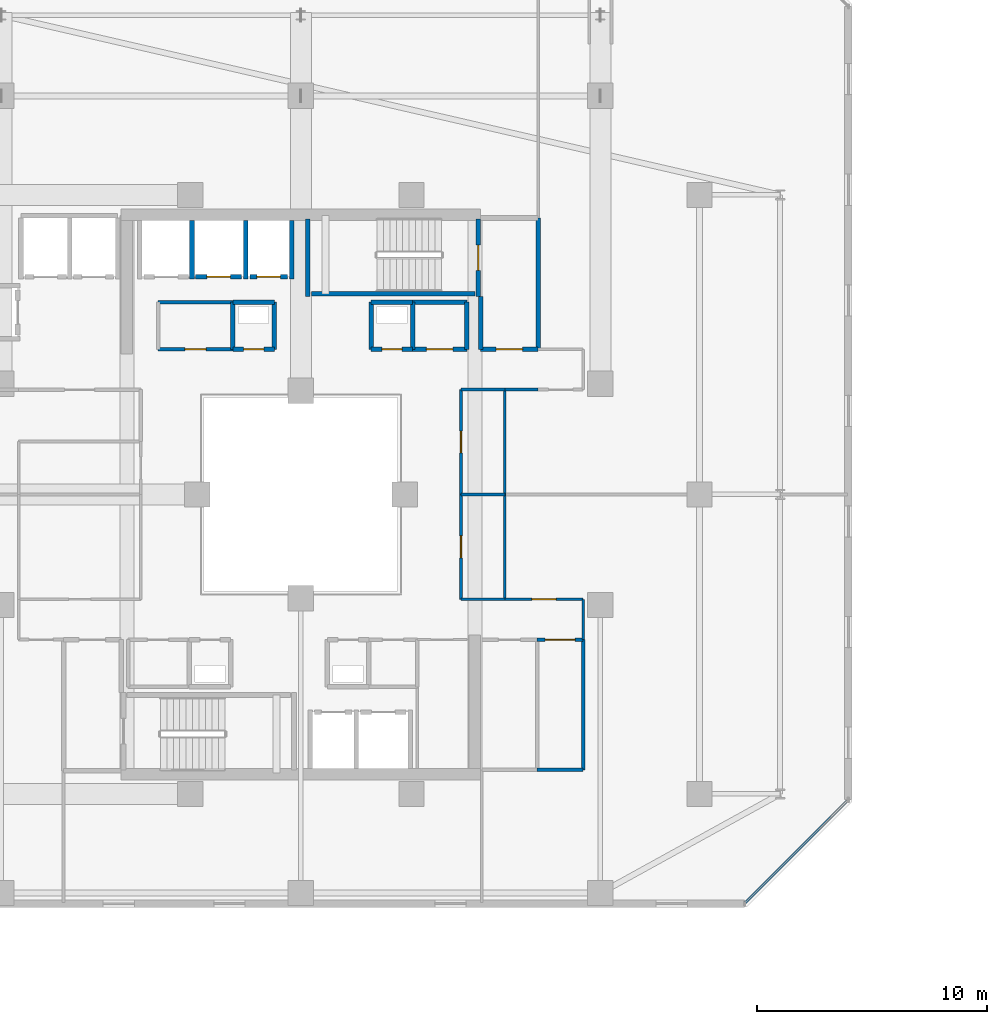
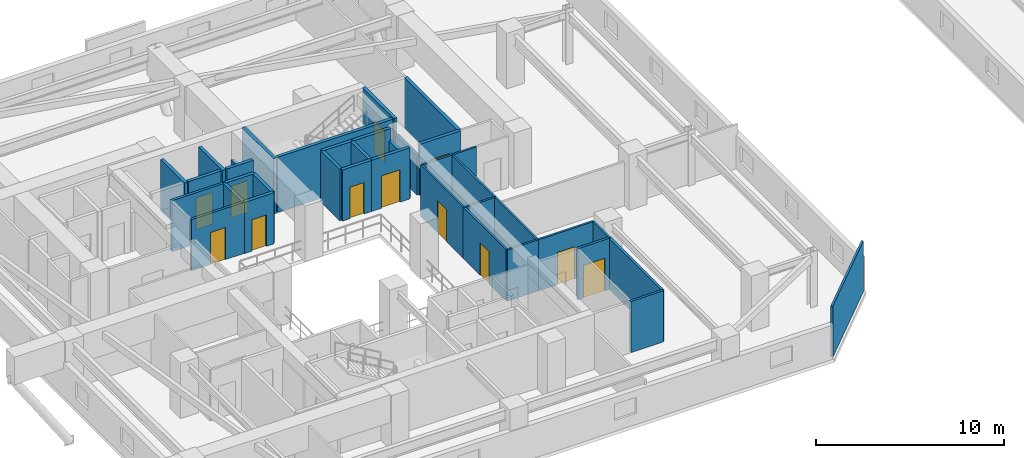
# One storey, part 24 of 36: 38 walls, 12 doors, 12 openings.
"""IFC4 building model written with IfcOpenShell, lengths in metres."""

from ifc_helpers import new_model, si_unit, direction, frame, frame_2d, origin, place, context, subcontext, project, spatial, rectangle, extrude, material, layer, layer_set, type_object, element, fill, save


model = new_model("IFC4")

# Units and contexts
model_context = context("Model", 3, precision=1e-05, world=origin(), true_north=direction((0.0, 1.0)))
body_context = subcontext(model_context, "Body", "Model", "MODEL_VIEW")
ifc_project = project(units=[si_unit("LENGTHUNIT", "METRE"), si_unit("AREAUNIT", "SQUARE_METRE"), si_unit("VOLUMEUNIT", "CUBIC_METRE"), si_unit("PLANEANGLEUNIT", "RADIAN"), si_unit("MASSUNIT", "GRAM", prefix="KILO")], contexts=[model_context])

# Site, building, storey
site_placement = place(None, origin())
site = spatial("IfcSite", under=ifc_project, at=site_placement, CompositionType="ELEMENT")
building_placement = place(site_placement, origin())
building = spatial("IfcBuilding", under=site, at=building_placement, Name="Thornwick Lancets Civic Towers", CompositionType="ELEMENT")
storey_placement = place(building_placement, frame((0.0, 0.0, 196.5)))
storey = spatial("IfcBuildingStorey", under=building, at=storey_placement, Name="L52", CompositionType="ELEMENT", Elevation=196.5)

# Wall, opening, door
ifc_material_1 = material(Name="Concrete blockwork C40/50", Category="masonry")
ifc_layer_1 = layer(ifc_material_1, 0.199951171875, Name="Concrete blockwork C40/50")
ifc_layer_set_1 = layer_set([ifc_layer_1], Name="Concrete blockwork C40/50")
wall_type_1 = type_object("IfcWallType", Name="WALL_COMP_200", PredefinedType="STANDARD", material=ifc_layer_set_1)
wall_1_placement = place(storey_placement, frame((24.919921875, 36.449951171875, 0.0), z_axis=(0.0, 0.0, 1.0), x_axis=(-1.0, 0.0, 0.0)))
wall_1 = element("IfcWall", 1, at=wall_1_placement, inside=storey, type_object=wall_type_1, Name="L52 Hoistway Front Wall FL-A2", PredefinedType="STANDARD", context=body_context, shape_type="SweptSolid", body=[
    extrude(rectangle(XDim=1.639892578125, YDim=0.199951171875, at=frame_2d((0.81982421875, 0.0))), origin(), (0.0, 0.0, 1.0), 3.320068359375),
])
opening_1_placement = place(wall_1_placement, frame((0.31005859375, 0.0, 0.0)))
opening_1 = element("IfcOpeningElement", 2, at=opening_1_placement, cuts=wall_1, Name="Opening LD-FL-A2", PredefinedType="OPENING", context=body_context, shape_type="SweptSolid", body=[
    extrude(rectangle(XDim=1.02001953125, YDim=2.06005859375, at=frame_2d((0.510009765625, 1.030029296875))), frame((0.0, 0.10986328125, 0.0), z_axis=(0.0, -1.0, 0.0), x_axis=(1.0, 0.0, 0.0)), (0.0, 0.0, 1.0), 0.219970703125),
])
ifc_material_2 = material(Name="Brushed bronze stainless steel", Category="steel")
door_type_1 = type_object("IfcDoorType", Name="DOOR_LIFT_SLIDE", OperationType="SLIDING_TO_LEFT", PredefinedType="DOOR", material=ifc_material_2)
door_1_placement = place(opening_1_placement, origin())
door_1 = element("IfcDoor", 3, at=door_1_placement, inside=storey, type_object=door_type_1, Name="L52 Sliding Lift Landing Door LD-FL-A2", OperationType="SLIDING_TO_LEFT", OverallHeight=2.06005859375, OverallWidth=1.02001953125, PredefinedType="DOOR", context=body_context, shape_type="SweptSolid", body=[
    extrude(rectangle(XDim=1.02001953125, YDim=2.06005859375, at=frame_2d((0.510009765625, 1.030029296875))), frame((0.0, 0.02490234375, 0.0), z_axis=(0.0, -1.0, 0.0), x_axis=(1.0, 0.0, 0.0)), (0.0, 0.0, 1.0), 0.050048828125),
])
fill(opening_1, door_1)

wall_2_placement = place(storey_placement, frame((22.919921875, 36.449951171875, 0.0), z_axis=(0.0, 0.0, 1.0), x_axis=(-1.0, 0.0, 0.0)))
wall_2 = element("IfcWall", 4, at=wall_2_placement, inside=storey, type_object=wall_type_1, Name="L52 Hoistway Front Wall PL-AH2", PredefinedType="STANDARD", context=body_context, shape_type="SweptSolid", body=[
    extrude(rectangle(XDim=1.989990234375, YDim=0.199951171875, at=frame_2d((0.9951171875, 0.0))), origin(), (0.0, 0.0, 1.0), 3.320068359375),
])
opening_2_placement = place(wall_2_placement, frame((0.485107421875, 0.0, 0.0)))
opening_2 = element("IfcOpeningElement", 5, at=opening_2_placement, cuts=wall_2, Name="Opening LD-PL-AH2", PredefinedType="OPENING", context=body_context, shape_type="SweptSolid", body=[
    extrude(rectangle(XDim=1.02001953125, YDim=2.06005859375, at=frame_2d((0.510009765625, 1.030029296875))), frame((0.0, 0.10986328125, 0.0), z_axis=(0.0, -1.0, 0.0), x_axis=(1.0, 0.0, 0.0)), (0.0, 0.0, 1.0), 0.219970703125),
])
door_2_placement = place(opening_2_placement, origin())
door_2 = element("IfcDoor", 6, at=door_2_placement, inside=storey, type_object=door_type_1, Name="L52 Sliding Lift Landing Door LD-PL-AH2", OperationType="SLIDING_TO_LEFT", OverallHeight=2.06005859375, OverallWidth=1.02001953125, PredefinedType="DOOR", context=body_context, shape_type="SweptSolid", body=[
    extrude(rectangle(XDim=1.02001953125, YDim=2.06005859375, at=frame_2d((0.510009765625, 1.030029296875))), frame((0.0, 0.02490234375, 0.0), z_axis=(0.0, -1.0, 0.0), x_axis=(1.0, 0.0, 0.0)), (0.0, 0.0, 1.0), 0.050048828125),
])
fill(opening_2, door_2)

# Walls
wall_3_placement = place(storey_placement, frame((25.10009765625, 36.35205078125, 0.0), z_axis=(0.0, 0.0, 1.0), x_axis=(0.0, 1.0, 0.0)))
element("IfcWall", 7, at=wall_3_placement, inside=storey, type_object=wall_type_1, Name="L52 Hoistway Shaft Wall FL-A2 E", PredefinedType="STANDARD", context=body_context, shape_type="SweptSolid", body=[
    extrude(rectangle(XDim=2.535888671875, YDim=0.199951171875, at=frame_2d((1.26806640625, 0.0))), origin(), (0.0, 0.0, 1.0), 1.784912109375),
])
for number, where, z_axis, x_axis, name in (
    (8, (23.10009765625, 36.35205078125, 0.0), (0.0, 0.0, 1.0), (0.0, 1.0, 0.0), "L52 Hoistway Shaft Wall FL-A2 W"),
    (9, (20.77490234375, 36.35205078125, 0.0), (0.0, 0.0, 1.0), (0.0, 1.0, 0.0), "L52 Hoistway Shaft Wall PL-AH2 W"),
):
    element("IfcWall", number, at=place(storey_placement, frame(where, z_axis=z_axis, x_axis=x_axis)), inside=storey, type_object=wall_type_1, Name=name, PredefinedType="STANDARD", context=body_context, shape_type="SweptSolid", body=[
        extrude(rectangle(XDim=2.535888671875, YDim=0.199951171875, at=frame_2d((1.26806640625, 0.0))), origin(), (0.0, 0.0, 1.0), 3.320068359375),
    ])

# Wall, opening, door
wall_4_placement = place(storey_placement, frame((33.300048828125, 33.300048828125, 0.0), z_axis=(0.0, 0.0, 1.0), x_axis=(1.0, 0.0, 0.0)))
wall_4 = element("IfcWall", 10, at=wall_4_placement, inside=storey, type_object=wall_type_1, Name="L52 Partition L52-A-FFLOB2 E1", PredefinedType="STANDARD", context=body_context, shape_type="SweptSolid", body=[
    extrude(rectangle(XDim=2.5, YDim=0.199951171875, at=frame_2d((1.25, 0.0))), origin(), (0.0, 0.0, 1.0), 3.320068359375),
])
opening_3_placement = place(wall_4_placement, frame((0.675048828125, 0.0, 0.0)))
opening_3 = element("IfcOpeningElement", 11, at=opening_3_placement, cuts=wall_4, Name="Opening D-L52-2300", PredefinedType="OPENING", context=body_context, shape_type="SweptSolid", body=[
    extrude(rectangle(XDim=1.14990234375, YDim=2.10009765625, at=frame_2d((0.574951171875, 1.050048828125))), frame((0.0, 0.10986328125, 0.0), z_axis=(0.0, -1.0, 0.0), x_axis=(1.0, 0.0, 0.0)), (0.0, 0.0, 1.0), 0.219970703125),
])
ifc_material_3 = material(Name="Glazed fire-resisting steel", Category="steel")
door_type_2 = type_object("IfcDoorType", Name="DOOR_LOBBY_FD60", OperationType="NOTDEFINED", PredefinedType="DOOR", material=ifc_material_3)
door_3_placement = place(opening_3_placement, origin())
door_3 = element("IfcDoor", 12, at=door_3_placement, inside=storey, type_object=door_type_2, Name="L52 North Firefighting Lobby 2 Door", OperationType="SINGLE_SWING_LEFT", OverallHeight=2.10009765625, OverallWidth=1.14990234375, PredefinedType="DOOR", context=body_context, shape_type="SweptSolid", body=[
    extrude(rectangle(XDim=1.14990234375, YDim=2.10009765625, at=frame_2d((0.574951171875, 1.050048828125))), frame((0.0, 0.02490234375, 0.0), z_axis=(0.0, -1.0, 0.0), x_axis=(1.0, 0.0, 0.0)), (0.0, 0.0, 1.0), 0.050048828125),
])
fill(opening_3, door_3)

# Walls
wall_5_placement = place(storey_placement, frame((35.800048828125, 33.300048828125, 0.0), z_axis=(0.0, 0.0, 1.0), x_axis=(0.0, 1.0, 0.0)))
element("IfcWall", 13, at=wall_5_placement, inside=storey, type_object=wall_type_1, Name="L52 Partition L52-A-FFLOB2 E2", PredefinedType="STANDARD", context=body_context, shape_type="SweptSolid", body=[
    extrude(rectangle(XDim=5.699951171875, YDim=0.199951171875, at=frame_2d((2.85009765625, 0.0))), origin(), (0.0, 0.0, 1.0), 3.320068359375),
])
wall_6_placement = place(storey_placement, frame((33.300048828125, 35.60009765625, 0.0), z_axis=(0.0, 0.0, 1.0), x_axis=(0.0, -1.0, 0.0)))
element("IfcWall", 14, at=wall_6_placement, inside=storey, type_object=wall_type_1, Name="L52 Partition L52-A-FFLOB2 E4", PredefinedType="STANDARD", context=body_context, shape_type="SweptSolid", body=[
    extrude(rectangle(XDim=2.300048828125, YDim=0.199951171875, at=frame_2d((1.14990234375, 0.0))), origin(), (0.0, 0.0, 1.0), 2.52490234375),
])

# Wall, opening, door
wall_7_placement = place(storey_placement, frame((22.550048828125, 33.300048828125, 0.0), z_axis=(0.0, 0.0, 1.0), x_axis=(1.0, 0.0, 0.0)))
wall_7 = element("IfcWall", 15, at=wall_7_placement, inside=storey, type_object=wall_type_1, Name="L52 Partition L52-A-DUCT2 E1", PredefinedType="STANDARD", context=body_context, shape_type="SweptSolid", body=[
    extrude(rectangle(XDim=1.800048828125, YDim=0.199951171875, at=frame_2d((0.89990234375, 0.0))), origin(), (0.0, 0.0, 1.0), 3.320068359375),
])
opening_4_placement = place(wall_7_placement, frame((0.4599609375, 0.0, 0.0)))
opening_4 = element("IfcOpeningElement", 16, at=opening_4_placement, cuts=wall_7, Name="Opening D-L52-2303", PredefinedType="OPENING", context=body_context, shape_type="SweptSolid", body=[
    extrude(rectangle(XDim=0.8798828125, YDim=2.0400390625, at=frame_2d((0.43994140625, 1.02001953125))), frame((0.0, 0.10986328125, 0.0), z_axis=(0.0, -1.0, 0.0), x_axis=(1.0, 0.0, 0.0)), (0.0, 0.0, 1.0), 0.219970703125),
])
ifc_material_4 = material(Name="Steel riser access doorset", Category="steel")
door_type_3 = type_object("IfcDoorType", Name="DOOR_RISER_850", OperationType="NOTDEFINED", PredefinedType="DOOR", material=ifc_material_4)
door_4_placement = place(opening_4_placement, origin())
door_4 = element("IfcDoor", 17, at=door_4_placement, inside=storey, type_object=door_type_3, Name="L52 North Service Duct 2 Door", OperationType="SINGLE_SWING_RIGHT", OverallHeight=2.0400390625, OverallWidth=0.8798828125, PredefinedType="DOOR", context=body_context, shape_type="SweptSolid", body=[
    extrude(rectangle(XDim=0.8798828125, YDim=2.0400390625, at=frame_2d((0.43994140625, 1.02001953125))), frame((0.0, 0.02490234375, 0.0), z_axis=(0.0, -1.0, 0.0), x_axis=(1.0, 0.0, 0.0)), (0.0, 0.0, 1.0), 0.050048828125),
])
fill(opening_4, door_4)

# Walls
wall_8_placement = place(storey_placement, frame((24.35009765625, 33.300048828125, 0.0), z_axis=(0.0, 0.0, 1.0), x_axis=(0.0, 1.0, 0.0)))
element("IfcWall", 18, at=wall_8_placement, inside=storey, type_object=wall_type_1, Name="L52 Partition L52-A-DUCT2 E2", PredefinedType="STANDARD", context=body_context, shape_type="SweptSolid", body=[
    extrude(rectangle(XDim=2.050048828125, YDim=0.199951171875, at=frame_2d((1.02490234375, 0.0))), origin(), (0.0, 0.0, 1.0), 3.320068359375),
])
wall_9_placement = place(storey_placement, frame((24.35009765625, 35.35009765625, 0.0), z_axis=(0.0, 0.0, 1.0), x_axis=(-1.0, 0.0, 0.0)))
element("IfcWall", 19, at=wall_9_placement, inside=storey, type_object=wall_type_1, Name="L52 Partition L52-A-DUCT2 E3", PredefinedType="STANDARD", context=body_context, shape_type="SweptSolid", body=[
    extrude(rectangle(XDim=1.800048828125, YDim=0.199951171875, at=frame_2d((0.89990234375, 0.0))), origin(), (0.0, 0.0, 1.0), 3.320068359375),
])
wall_10_placement = place(storey_placement, frame((22.550048828125, 35.35009765625, 0.0), z_axis=(0.0, 0.0, 1.0), x_axis=(0.0, -1.0, 0.0)))
element("IfcWall", 20, at=wall_10_placement, inside=storey, type_object=wall_type_1, Name="L52 Partition L52-A-DUCT2 E4", PredefinedType="STANDARD", context=body_context, shape_type="SweptSolid", body=[
    extrude(rectangle(XDim=2.050048828125, YDim=0.199951171875, at=frame_2d((1.02490234375, 0.0))), origin(), (0.0, 0.0, 1.0), 3.320068359375),
])

# Wall, opening, door
wall_11_placement = place(storey_placement, frame((28.550048828125, 33.300048828125, 0.0), z_axis=(0.0, 0.0, 1.0), x_axis=(1.0, 0.0, 0.0)))
wall_11 = element("IfcWall", 21, at=wall_11_placement, inside=storey, type_object=wall_type_1, Name="L52 Partition L52-A-RISER2 E1", PredefinedType="STANDARD", context=body_context, shape_type="SweptSolid", body=[
    extrude(rectangle(XDim=1.800048828125, YDim=0.199951171875, at=frame_2d((0.89990234375, 0.0))), origin(), (0.0, 0.0, 1.0), 3.320068359375),
])
opening_5_placement = place(wall_11_placement, frame((0.4599609375, 0.0, 0.0)))
opening_5 = element("IfcOpeningElement", 22, at=opening_5_placement, cuts=wall_11, Name="Opening D-L52-2304", PredefinedType="OPENING", context=body_context, shape_type="SweptSolid", body=[
    extrude(rectangle(XDim=0.8798828125, YDim=2.0400390625, at=frame_2d((0.43994140625, 1.02001953125))), frame((0.0, 0.10986328125, 0.0), z_axis=(0.0, -1.0, 0.0), x_axis=(1.0, 0.0, 0.0)), (0.0, 0.0, 1.0), 0.219970703125),
])
door_5_placement = place(opening_5_placement, origin())
door_5 = element("IfcDoor", 23, at=door_5_placement, inside=storey, type_object=door_type_3, Name="L52 North Service Riser 2 Door", OperationType="SINGLE_SWING_LEFT", OverallHeight=2.0400390625, OverallWidth=0.8798828125, PredefinedType="DOOR", context=body_context, shape_type="SweptSolid", body=[
    extrude(rectangle(XDim=0.8798828125, YDim=2.0400390625, at=frame_2d((0.43994140625, 1.02001953125))), frame((0.0, 0.02490234375, 0.0), z_axis=(0.0, -1.0, 0.0), x_axis=(1.0, 0.0, 0.0)), (0.0, 0.0, 1.0), 0.050048828125),
])
fill(opening_5, door_5)

# Walls
wall_12_placement = place(storey_placement, frame((30.35009765625, 33.300048828125, 0.0), z_axis=(0.0, 0.0, 1.0), x_axis=(0.0, 1.0, 0.0)))
element("IfcWall", 24, at=wall_12_placement, inside=storey, type_object=wall_type_1, Name="L52 Partition L52-A-RISER2 E2", PredefinedType="STANDARD", context=body_context, shape_type="SweptSolid", body=[
    extrude(rectangle(XDim=2.050048828125, YDim=0.199951171875, at=frame_2d((1.02490234375, 0.0))), origin(), (0.0, 0.0, 1.0), 3.320068359375),
])
wall_13_placement = place(storey_placement, frame((30.35009765625, 35.35009765625, 0.0), z_axis=(0.0, 0.0, 1.0), x_axis=(-1.0, 0.0, 0.0)))
element("IfcWall", 25, at=wall_13_placement, inside=storey, type_object=wall_type_1, Name="L52 Partition L52-A-RISER2 E3", PredefinedType="STANDARD", context=body_context, shape_type="SweptSolid", body=[
    extrude(rectangle(XDim=1.800048828125, YDim=0.199951171875, at=frame_2d((0.89990234375, 0.0))), origin(), (0.0, 0.0, 1.0), 3.320068359375),
])
wall_14_placement = place(storey_placement, frame((28.550048828125, 35.35009765625, 0.0), z_axis=(0.0, 0.0, 1.0), x_axis=(0.0, -1.0, 0.0)))
element("IfcWall", 26, at=wall_14_placement, inside=storey, type_object=wall_type_1, Name="L52 Partition L52-A-RISER2 E4", PredefinedType="STANDARD", context=body_context, shape_type="SweptSolid", body=[
    extrude(rectangle(XDim=2.050048828125, YDim=0.199951171875, at=frame_2d((1.02490234375, 0.0))), origin(), (0.0, 0.0, 1.0), 3.320068359375),
])
wall_15_placement = place(storey_placement, frame((32.699951171875, 35.35009765625, 0.0), z_axis=(0.0, 0.0, 1.0), x_axis=(0.0, -1.0, 0.0)))
element("IfcWall", 27, at=wall_15_placement, inside=storey, type_object=wall_type_1, Name="L52 Partition L52-A-STR E1", PredefinedType="STANDARD", context=body_context, shape_type="SweptSolid", body=[
    extrude(rectangle(XDim=2.050048828125, YDim=0.199951171875, at=frame_2d((1.02490234375, 0.0))), origin(), (0.0, 0.0, 1.0), 2.52490234375),
])

# Wall, opening, door
wall_16_placement = place(storey_placement, frame((32.699951171875, 33.300048828125, 0.0), z_axis=(0.0, 0.0, 1.0), x_axis=(-1.0, 0.0, 0.0)))
wall_16 = element("IfcWall", 28, at=wall_16_placement, inside=storey, type_object=wall_type_1, Name="L52 Partition L52-A-STR E2", PredefinedType="STANDARD", context=body_context, shape_type="SweptSolid", body=[
    extrude(rectangle(XDim=2.349853515625, YDim=0.199951171875, at=frame_2d((1.1748046875, 0.0))), origin(), (0.0, 0.0, 1.0), 3.320068359375),
])
opening_6_placement = place(wall_16_placement, frame((0.60009765625, 0.0, 0.0)))
opening_6 = element("IfcOpeningElement", 29, at=opening_6_placement, cuts=wall_16, Name="Opening D-L52-2309", PredefinedType="OPENING", context=body_context, shape_type="SweptSolid", body=[
    extrude(rectangle(XDim=1.14990234375, YDim=2.10009765625, at=frame_2d((0.574951171875, 1.050048828125))), frame((0.0, 0.10986328125, 0.0), z_axis=(0.0, -1.0, 0.0), x_axis=(1.0, 0.0, 0.0)), (0.0, 0.0, 1.0), 0.219970703125),
])
door_6_placement = place(opening_6_placement, origin())
door_6 = element("IfcDoor", 30, at=door_6_placement, inside=storey, type_object=door_type_2, Name="L52 Tower A Core Equipment Store Door", OperationType="SINGLE_SWING_RIGHT", OverallHeight=2.10009765625, OverallWidth=1.14990234375, PredefinedType="DOOR", context=body_context, shape_type="SweptSolid", body=[
    extrude(rectangle(XDim=1.14990234375, YDim=2.10009765625, at=frame_2d((0.574951171875, 1.050048828125))), frame((0.0, 0.02490234375, 0.0), z_axis=(0.0, -1.0, 0.0), x_axis=(1.0, 0.0, 0.0)), (0.0, 0.0, 1.0), 0.050048828125),
])
fill(opening_6, door_6)

# Wall
wall_17_placement = place(storey_placement, frame((30.35009765625, 35.35009765625, 0.0), z_axis=(0.0, 0.0, 1.0), x_axis=(1.0, 0.0, 0.0)))
element("IfcWall", 31, at=wall_17_placement, inside=storey, type_object=wall_type_1, Name="L52 Partition L52-A-STR E4", PredefinedType="STANDARD", context=body_context, shape_type="SweptSolid", body=[
    extrude(rectangle(XDim=2.349853515625, YDim=0.199951171875, at=frame_2d((1.1748046875, 0.0))), origin(), (0.0, 0.0, 1.0), 3.320068359375),
])

# Wall, opening, door
ifc_material_5 = material(Name="Acoustic gypsum board partition")
ifc_layer_2 = layer(ifc_material_5, 0.1201171875, Name="Acoustic gypsum board partition")
ifc_layer_set_2 = layer_set([ifc_layer_2], Name="Acoustic gypsum board partition")
wall_type_2 = type_object("IfcWallType", Name="WALL_PART_120", PredefinedType="PARTITIONING", material=ifc_layer_set_2)
wall_18_placement = place(storey_placement, frame((32.449951171875, 22.449951171875, 0.0), z_axis=(0.0, 0.0, 1.0), x_axis=(0.0, 1.0, 0.0)))
wall_18 = element("IfcWall", 32, at=wall_18_placement, inside=storey, type_object=wall_type_2, Name="L52 Partition L52-A-E1 E1", PredefinedType="PARTITIONING", context=body_context, shape_type="SweptSolid", body=[
    extrude(rectangle(XDim=4.550048828125, YDim=0.1201171875, at=frame_2d((2.27490234375, 0.0))), origin(), (0.0, 0.0, 1.0), 3.320068359375),
])
opening_7_placement = place(wall_18_placement, frame((1.800048828125, 0.0, 0.0)))
opening_7 = element("IfcOpeningElement", 33, at=opening_7_placement, cuts=wall_18, Name="Opening D-L52-2327", PredefinedType="OPENING", context=body_context, shape_type="SweptSolid", body=[
    extrude(rectangle(XDim=0.949951171875, YDim=2.10009765625, at=frame_2d((0.47509765625, 1.050048828125))), frame((0.0, 0.070068359375, 0.0), z_axis=(0.0, -1.0, 0.0), x_axis=(1.0, 0.0, 0.0)), (0.0, 0.0, 1.0), 0.14013671875),
])
ifc_material_6 = material(Name="European oak acoustic doorset")
door_type_4 = type_object("IfcDoorType", Name="DOOR_OFFICE_950", OperationType="NOTDEFINED", PredefinedType="DOOR", material=ifc_material_6)
door_7_placement = place(opening_7_placement, origin())
door_7 = element("IfcDoor", 34, at=door_7_placement, inside=storey, type_object=door_type_4, Name="L52 Tower A Visitors Reception and Waiting Door", OperationType="SINGLE_SWING_RIGHT", OverallHeight=2.10009765625, OverallWidth=0.949951171875, PredefinedType="DOOR", context=body_context, shape_type="SweptSolid", body=[
    extrude(rectangle(XDim=0.949951171875, YDim=2.10009765625, at=frame_2d((0.47509765625, 1.050048828125))), frame((0.0, 0.02490234375, 0.0), z_axis=(0.0, -1.0, 0.0), x_axis=(1.0, 0.0, 0.0)), (0.0, 0.0, 1.0), 0.050048828125),
])
fill(opening_7, door_7)

# Walls
wall_19_placement = place(storey_placement, frame((32.449951171875, 27.0, 0.0), z_axis=(0.0, 0.0, 1.0), x_axis=(1.0, 0.0, 0.0)))
element("IfcWall", 35, at=wall_19_placement, inside=storey, type_object=wall_type_2, Name="L52 Partition L52-A-E1 E2", PredefinedType="PARTITIONING", context=body_context, shape_type="SweptSolid", body=[
    extrude(rectangle(XDim=1.900146484375, YDim=0.1201171875, at=frame_2d((0.9501953125, 0.0))), origin(), (0.0, 0.0, 1.0), 3.320068359375),
])
wall_20_placement = place(storey_placement, frame((34.35009765625, 27.0, 0.0), z_axis=(0.0, 0.0, 1.0), x_axis=(0.0, -1.0, 0.0)))
element("IfcWall", 36, at=wall_20_placement, inside=storey, type_object=wall_type_2, Name="L52 Partition L52-A-E1 E3", PredefinedType="PARTITIONING", context=body_context, shape_type="SweptSolid", body=[
    extrude(rectangle(XDim=4.550048828125, YDim=0.1201171875, at=frame_2d((2.27490234375, 0.0))), origin(), (0.0, 0.0, 1.0), 3.320068359375),
])
wall_21_placement = place(storey_placement, frame((34.35009765625, 22.449951171875, 0.0), z_axis=(0.0, 0.0, 1.0), x_axis=(-1.0, 0.0, 0.0)))
element("IfcWall", 37, at=wall_21_placement, inside=storey, type_object=wall_type_2, Name="L52 Partition L52-A-E1 E4", PredefinedType="PARTITIONING", context=body_context, shape_type="SweptSolid", body=[
    extrude(rectangle(XDim=1.900146484375, YDim=0.1201171875, at=frame_2d((0.9501953125, 0.0))), origin(), (0.0, 0.0, 1.0), 3.320068359375),
])
wall_22_placement = place(storey_placement, frame((37.75, 20.699951171875, 0.0), z_axis=(0.0, 0.0, 1.0), x_axis=(0.0, 1.0, 0.0)))
element("IfcWall", 38, at=wall_22_placement, inside=storey, type_object=wall_type_2, Name="L52 Partition L52-A-E2 E4", PredefinedType="PARTITIONING", context=body_context, shape_type="SweptSolid", body=[
    extrude(rectangle(XDim=1.75, YDim=0.1201171875, at=frame_2d((0.875, 0.0))), origin(), (0.0, 0.0, 1.0), 3.320068359375),
])

# Wall, opening, door
wall_23_placement = place(storey_placement, frame((37.75, 22.449951171875, 0.0), z_axis=(0.0, 0.0, 1.0), x_axis=(-1.0, 0.0, 0.0)))
wall_23 = element("IfcWall", 39, at=wall_23_placement, inside=storey, type_object=wall_type_2, Name="L52 Partition L52-A-E2 E5", PredefinedType="PARTITIONING", context=body_context, shape_type="SweptSolid", body=[
    extrude(rectangle(XDim=3.39990234375, YDim=0.1201171875, at=frame_2d((1.699951171875, 0.0))), origin(), (0.0, 0.0, 1.0), 3.320068359375),
])
opening_8_placement = place(wall_23_placement, frame((1.175048828125, 0.0, 0.0)))
opening_8 = element("IfcOpeningElement", 40, at=opening_8_placement, cuts=wall_23, Name="Opening D-L52-2328", PredefinedType="OPENING", context=body_context, shape_type="SweptSolid", body=[
    extrude(rectangle(XDim=1.050048828125, YDim=2.10009765625, at=frame_2d((0.52490234375, 1.050048828125))), frame((0.0, 0.070068359375, 0.0), z_axis=(0.0, -1.0, 0.0), x_axis=(1.0, 0.0, 0.0)), (0.0, 0.0, 1.0), 0.14013671875),
])
ifc_material_7 = material(Name="Glazed European oak executive doorset")
door_type_5 = type_object("IfcDoorType", Name="DOOR_OFFICE_1050", OperationType="NOTDEFINED", PredefinedType="DOOR", material=ifc_material_7)
door_8_placement = place(opening_8_placement, origin())
door_8 = element("IfcDoor", 41, at=door_8_placement, inside=storey, type_object=door_type_5, Name="L52 Tower A Secretariat Open Office E1 Door", OperationType="SINGLE_SWING_LEFT", OverallHeight=2.10009765625, OverallWidth=1.050048828125, PredefinedType="DOOR", context=body_context, shape_type="SweptSolid", body=[
    extrude(rectangle(XDim=1.050048828125, YDim=2.10009765625, at=frame_2d((0.52490234375, 1.050048828125))), frame((0.0, 0.02490234375, 0.0), z_axis=(0.0, -1.0, 0.0), x_axis=(1.0, 0.0, 0.0)), (0.0, 0.0, 1.0), 0.050048828125),
])
fill(opening_8, door_8)

# Wall
wall_24_placement = place(storey_placement, frame((49.219970703125, 13.712646484375, 0.0), z_axis=(0.0, 0.0, 1.0), x_axis=(-0.707106781187, -0.707106781187, 0.0)))
element("IfcWall", 42, at=wall_24_placement, inside=storey, type_object=wall_type_2, Name="L52 Partition L52-A-E2 E9", PredefinedType="PARTITIONING", context=body_context, shape_type="SweptSolid", body=[
    extrude(rectangle(XDim=6.2685546875, YDim=0.1201171875, at=frame_2d((3.13427734375, 0.0))), origin(), (0.0, 0.0, 1.0), 3.320068359375),
])

# Wall, opening, door
wall_25_placement = place(storey_placement, frame((32.449951171875, 27.0, 0.0), z_axis=(0.0, 0.0, 1.0), x_axis=(0.0, 1.0, 0.0)))
wall_25 = element("IfcWall", 43, at=wall_25_placement, inside=storey, type_object=wall_type_2, Name="L52 Partition L52-A-E3 E1", PredefinedType="PARTITIONING", context=body_context, shape_type="SweptSolid", body=[
    extrude(rectangle(XDim=4.550048828125, YDim=0.1201171875, at=frame_2d((2.27490234375, 0.0))), origin(), (0.0, 0.0, 1.0), 3.320068359375),
])
opening_9_placement = place(wall_25_placement, frame((1.800048828125, 0.0, 0.0)))
opening_9 = element("IfcOpeningElement", 44, at=opening_9_placement, cuts=wall_25, Name="Opening D-L52-2329", PredefinedType="OPENING", context=body_context, shape_type="SweptSolid", body=[
    extrude(rectangle(XDim=0.949951171875, YDim=2.10009765625, at=frame_2d((0.47509765625, 1.050048828125))), frame((0.0, 0.070068359375, 0.0), z_axis=(0.0, -1.0, 0.0), x_axis=(1.0, 0.0, 0.0)), (0.0, 0.0, 1.0), 0.14013671875),
])
door_9_placement = place(opening_9_placement, origin())
door_9 = element("IfcDoor", 45, at=door_9_placement, inside=storey, type_object=door_type_4, Name="L52 Tower A Civic Seminar Room Door", OperationType="SINGLE_SWING_RIGHT", OverallHeight=2.10009765625, OverallWidth=0.949951171875, PredefinedType="DOOR", context=body_context, shape_type="SweptSolid", body=[
    extrude(rectangle(XDim=0.949951171875, YDim=2.10009765625, at=frame_2d((0.47509765625, 1.050048828125))), frame((0.0, 0.02490234375, 0.0), z_axis=(0.0, -1.0, 0.0), x_axis=(1.0, 0.0, 0.0)), (0.0, 0.0, 1.0), 0.050048828125),
])
fill(opening_9, door_9)

# Walls
wall_26_placement = place(storey_placement, frame((32.449951171875, 31.550048828125, 0.0), z_axis=(0.0, 0.0, 1.0), x_axis=(1.0, 0.0, 0.0)))
element("IfcWall", 46, at=wall_26_placement, inside=storey, type_object=wall_type_2, Name="L52 Partition L52-A-E3 E2", PredefinedType="PARTITIONING", context=body_context, shape_type="SweptSolid", body=[
    extrude(rectangle(XDim=1.900146484375, YDim=0.1201171875, at=frame_2d((0.9501953125, 0.0))), origin(), (0.0, 0.0, 1.0), 3.320068359375),
])
wall_27_placement = place(storey_placement, frame((34.35009765625, 31.550048828125, 0.0), z_axis=(0.0, 0.0, 1.0), x_axis=(0.0, -1.0, 0.0)))
element("IfcWall", 47, at=wall_27_placement, inside=storey, type_object=wall_type_2, Name="L52 Partition L52-A-E3 E3", PredefinedType="PARTITIONING", context=body_context, shape_type="SweptSolid", body=[
    extrude(rectangle(XDim=4.550048828125, YDim=0.1201171875, at=frame_2d((2.27490234375, 0.0))), origin(), (0.0, 0.0, 1.0), 3.320068359375),
])
wall_28_placement = place(storey_placement, frame((34.35009765625, 31.550048828125, 0.0), z_axis=(0.0, 0.0, 1.0), x_axis=(1.0, 0.0, 0.0)))
element("IfcWall", 48, at=wall_28_placement, inside=storey, type_object=wall_type_2, Name="L52 Partition L52-A-E4 E1", PredefinedType="PARTITIONING", context=body_context, shape_type="SweptSolid", body=[
    extrude(rectangle(XDim=1.449951171875, YDim=0.1201171875, at=frame_2d((0.72509765625, 0.0))), origin(), (0.0, 0.0, 1.0), 3.320068359375),
])
ifc_material_8 = material(Name="Twin-stud acoustic gypsum board")
ifc_layer_3 = layer(ifc_material_8, 0.14990234375, Name="Twin-stud acoustic gypsum board")
ifc_layer_set_3 = layer_set([ifc_layer_3], Name="Twin-stud acoustic gypsum board")
wall_type_3 = type_object("IfcWallType", Name="WALL_PART_150", PredefinedType="PARTITIONING", material=ifc_layer_set_3)
wall_29_placement = place(storey_placement, frame((19.300048828125, 35.35009765625, 0.0), z_axis=(0.0, 0.0, 1.0), x_axis=(1.0, 0.0, 0.0)))
element("IfcWall", 49, at=wall_29_placement, inside=storey, type_object=wall_type_3, Name="L52 Partition L52-A-FWC E2", PredefinedType="PARTITIONING", context=body_context, shape_type="SweptSolid", body=[
    extrude(rectangle(XDim=3.25, YDim=0.14990234375, at=frame_2d((1.625, 0.0))), origin(), (0.0, 0.0, 1.0), 3.320068359375),
])

# Wall, opening, door
wall_30_placement = place(storey_placement, frame((22.550048828125, 33.300048828125, 0.0), z_axis=(0.0, 0.0, 1.0), x_axis=(-1.0, 0.0, 0.0)))
wall_30 = element("IfcWall", 50, at=wall_30_placement, inside=storey, type_object=wall_type_3, Name="L52 Partition L52-A-FWC E4", PredefinedType="PARTITIONING", context=body_context, shape_type="SweptSolid", body=[
    extrude(rectangle(XDim=3.25, YDim=0.14990234375, at=frame_2d((1.625, 0.0))), origin(), (0.0, 0.0, 1.0), 3.320068359375),
])
opening_10_placement = place(wall_30_placement, frame((1.1650390625, 0.0, 0.0)))
opening_10 = element("IfcOpeningElement", 51, at=opening_10_placement, cuts=wall_30, Name="Opening D-L52-2308", PredefinedType="OPENING", context=body_context, shape_type="SweptSolid", body=[
    extrude(rectangle(XDim=0.919921875, YDim=2.080078125, at=frame_2d((0.4599609375, 1.0400390625))), frame((0.0, 0.0849609375, 0.0), z_axis=(0.0, -1.0, 0.0), x_axis=(1.0, 0.0, 0.0)), (0.0, 0.0, 1.0), 0.169921875),
])
ifc_material_9 = material(Name="Moisture-resistant oak doorset")
door_type_6 = type_object("IfcDoorType", Name="DOOR_WC_900", OperationType="NOTDEFINED", PredefinedType="DOOR", material=ifc_material_9)
door_10_placement = place(opening_10_placement, origin())
door_10 = element("IfcDoor", 52, at=door_10_placement, inside=storey, type_object=door_type_6, Name="L52 Tower A Female WC Door", OperationType="SINGLE_SWING_LEFT", OverallHeight=2.080078125, OverallWidth=0.919921875, PredefinedType="DOOR", context=body_context, shape_type="SweptSolid", body=[
    extrude(rectangle(XDim=0.919921875, YDim=2.080078125, at=frame_2d((0.4599609375, 1.0400390625))), frame((0.0, 0.02490234375, 0.0), z_axis=(0.0, -1.0, 0.0), x_axis=(1.0, 0.0, 0.0)), (0.0, 0.0, 1.0), 0.050048828125),
])
fill(opening_10, door_10)

# Wall
wall_31_placement = place(storey_placement, frame((37.75, 15.050048828125, 0.0), z_axis=(0.0, 0.0, 1.0), x_axis=(-1.0, 0.0, 0.0)))
element("IfcWall", 53, at=wall_31_placement, inside=storey, type_object=wall_type_3, Name="L52 Partition L52-A-RECLAIM-L2 E1", PredefinedType="PARTITIONING", context=body_context, shape_type="SweptSolid", body=[
    extrude(rectangle(XDim=2.0, YDim=0.14990234375, at=frame_2d((1.0, 0.0))), origin(), (0.0, 0.0, 1.0), 3.320068359375),
])

# Wall, opening, door
wall_32_placement = place(storey_placement, frame((35.75, 20.699951171875, 0.0), z_axis=(0.0, 0.0, 1.0), x_axis=(1.0, 0.0, 0.0)))
wall_32 = element("IfcWall", 54, at=wall_32_placement, inside=storey, type_object=wall_type_3, Name="L52 Partition L52-A-RECLAIM-L2 E3", PredefinedType="PARTITIONING", context=body_context, shape_type="SweptSolid", body=[
    extrude(rectangle(XDim=2.0, YDim=0.14990234375, at=frame_2d((1.0, 0.0))), origin(), (0.0, 0.0, 1.0), 3.320068359375),
])
opening_11_placement = place(wall_32_placement, frame((0.35009765625, 0.0, 0.0)))
opening_11 = element("IfcOpeningElement", 55, at=opening_11_placement, cuts=wall_32, Name="Opening D-L52-2322", PredefinedType="OPENING", context=body_context, shape_type="SweptSolid", body=[
    extrude(rectangle(XDim=1.300048828125, YDim=2.1201171875, at=frame_2d((0.64990234375, 1.06005859375))), frame((0.0, 0.0849609375, 0.0), z_axis=(0.0, -1.0, 0.0), x_axis=(1.0, 0.0, 0.0)), (0.0, 0.0, 1.0), 0.169921875),
])
ifc_material_10 = material(Name="Acoustic oak leaf-and-a-half doorset")
door_type_7 = type_object("IfcDoorType", Name="DOOR_MEET_1300", OperationType="DOUBLE_DOOR_SINGLE_SWING", PredefinedType="DOOR", material=ifc_material_10)
door_11_placement = place(opening_11_placement, origin())
door_11 = element("IfcDoor", 56, at=door_11_placement, inside=storey, type_object=door_type_7, Name="L52 Tower A Ministerial Consultation Room Door", OperationType="DOUBLE_DOOR_SINGLE_SWING", OverallHeight=2.1201171875, OverallWidth=1.300048828125, PredefinedType="DOOR", context=body_context, shape_type="SweptSolid", body=[
    extrude(rectangle(XDim=1.300048828125, YDim=2.1201171875, at=frame_2d((0.64990234375, 1.06005859375))), frame((0.0, 0.02490234375, 0.0), z_axis=(0.0, -1.0, 0.0), x_axis=(1.0, 0.0, 0.0)), (0.0, 0.0, 1.0), 0.050048828125),
])
fill(opening_11, door_11)

# Wall
wall_33_placement = place(storey_placement, frame((37.75, 20.699951171875, 0.0), z_axis=(0.0, 0.0, 1.0), x_axis=(0.0, -1.0, 0.0)))
element("IfcWall", 57, at=wall_33_placement, inside=storey, type_object=wall_type_3, Name="L52 Partition L52-A-RECLAIM-L2 E4", PredefinedType="PARTITIONING", context=body_context, shape_type="SweptSolid", body=[
    extrude(rectangle(XDim=5.64990234375, YDim=0.14990234375, at=frame_2d((2.824951171875, 0.0))), origin(), (0.0, 0.0, 1.0), 3.320068359375),
])

# Wall, opening, door
ifc_material_11 = material(Name="Concrete C40/50", Category="concrete")
ifc_layer_4 = layer(ifc_material_11, 0.199951171875, Name="Concrete C40/50")
ifc_layer_set_4 = layer_set([ifc_layer_4], Name="Concrete C40/50")
wall_type_4 = type_object("IfcWallType", Name="WALL_SHAFT_200", PredefinedType="SHEAR", material=ifc_layer_set_4)
wall_34_placement = place(storey_placement, frame((33.199951171875, 38.949951171875, 0.0), z_axis=(0.0, 0.0, 1.0), x_axis=(0.0, -1.0, 0.0)))
wall_34 = element("IfcWall", 58, at=wall_34_placement, inside=storey, type_object=wall_type_4, Name="L52 ST-A2 Fire Stair Core Wall NEAR", PredefinedType="SHEAR", context=body_context, shape_type="SweptSolid", body=[
    extrude(rectangle(XDim=3.349853515625, YDim=0.199951171875, at=frame_2d((1.6748046875, 0.0))), origin(), (0.0, 0.0, 1.0), 3.60009765625),
])
opening_12_placement = place(wall_34_placement, frame((1.125, 0.0, 0.0)))
opening_12 = element("IfcOpeningElement", 59, at=opening_12_placement, cuts=wall_34, Name="Opening D-ST-A2-L52", PredefinedType="OPENING", context=body_context, shape_type="SweptSolid", body=[
    extrude(rectangle(XDim=1.10009765625, YDim=2.10009765625, at=frame_2d((0.550048828125, 1.050048828125))), frame((0.0, 0.10986328125, 0.0), z_axis=(0.0, -1.0, 0.0), x_axis=(1.0, 0.0, 0.0)), (0.0, 0.0, 1.0), 0.219970703125),
])
ifc_material_12 = material(Name="Fire-resisting steel and hardwood", Category="steel")
door_type_8 = type_object("IfcDoorType", Name="DOOR_STAIR_FD60", OperationType="NOTDEFINED", PredefinedType="DOOR", material=ifc_material_12)
door_12_placement = place(opening_12_placement, origin())
door_12 = element("IfcDoor", 60, at=door_12_placement, inside=storey, type_object=door_type_8, Name="L52 ST-A2 Exit Stair Door", OperationType="SINGLE_SWING_LEFT", OverallHeight=2.10009765625, OverallWidth=1.10009765625, PredefinedType="DOOR", context=body_context, shape_type="SweptSolid", body=[
    extrude(rectangle(XDim=1.10009765625, YDim=2.10009765625, at=frame_2d((0.550048828125, 1.050048828125))), frame((0.0, 0.02490234375, 0.0), z_axis=(0.0, -1.0, 0.0), x_axis=(1.0, 0.0, 0.0)), (0.0, 0.0, 1.0), 0.050048828125),
])
fill(opening_12, door_12)

# Walls
wall_35_placement = place(storey_placement, frame((25.800048828125, 35.60009765625, 0.0), z_axis=(0.0, 0.0, 1.0), x_axis=(0.0, 1.0, 0.0)))
element("IfcWall", 61, at=wall_35_placement, inside=storey, type_object=wall_type_4, Name="L52 ST-A2 Fire Stair Core Wall FAR", PredefinedType="SHEAR", context=body_context, shape_type="SweptSolid", body=[
    extrude(rectangle(XDim=3.349853515625, YDim=0.199951171875, at=frame_2d((1.6748046875, 0.0))), origin(), (0.0, 0.0, 1.0), 3.60009765625),
])
wall_36_placement = place(storey_placement, frame((25.949951171875, 35.702880859375, 0.0), z_axis=(0.0, 0.0, 1.0), x_axis=(1.0, 0.0, 0.0)))
element("IfcWall", 62, at=wall_36_placement, inside=storey, type_object=wall_type_4, Name="L52 ST-A2 Fire Stair Core Wall RIGHT", PredefinedType="SHEAR", context=body_context, shape_type="SweptSolid", body=[
    extrude(rectangle(XDim=7.10009765625, YDim=0.199951171875, at=frame_2d((3.550048828125, 0.0))), origin(), (0.0, 0.0, 1.0), 3.60009765625),
])

save(model, "model.ifc")
